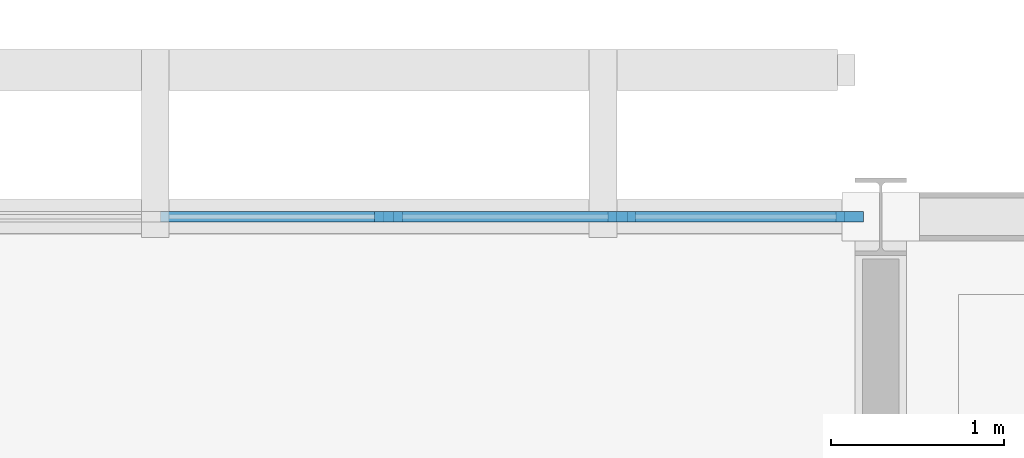
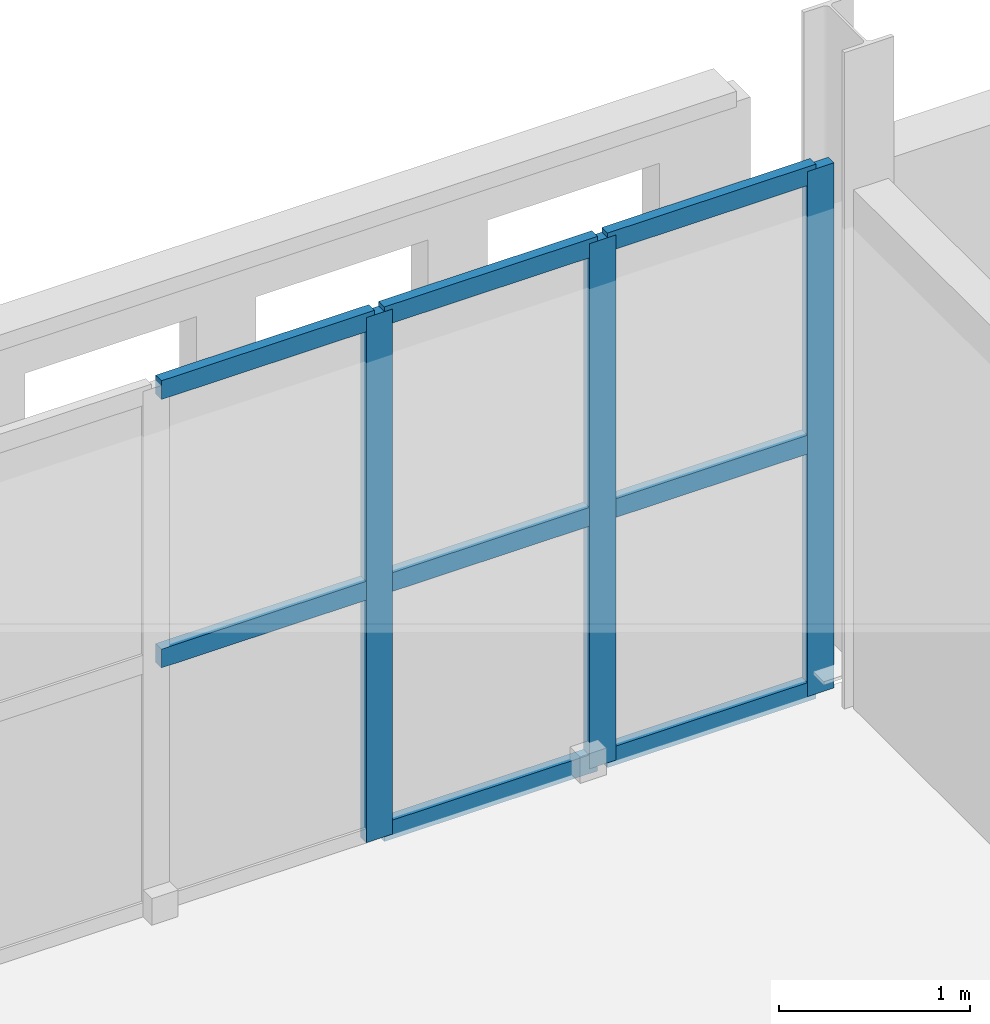
# One storey, part 55 of 166: 11 members, 1 element without a shape of its own.
"""IFC4 building model written with IfcOpenShell, lengths in metres."""

from ifc_helpers import new_model, si_unit, direction, frame, origin, origin_2d, place, context, subcontext, project, spatial, rectangle, extrude, material, layer, layer_set, material_profile, profile_set, type_object, element, aggregate, save


model = new_model("IFC4")

# Units and contexts
model_context = context("Model", 3, precision=1e-05, world=origin(), true_north=direction((0.0, 1.0)))
body_context = subcontext(model_context, "Body", "Model", "MODEL_VIEW")
ifc_project = project(units=[si_unit("LENGTHUNIT", "METRE"), si_unit("AREAUNIT", "SQUARE_METRE"), si_unit("VOLUMEUNIT", "CUBIC_METRE"), si_unit("PLANEANGLEUNIT", "RADIAN"), si_unit("MASSUNIT", "GRAM", prefix="KILO")], contexts=[model_context])

# Site, building, storey
site_placement = place(None, origin())
site = spatial("IfcSite", under=ifc_project, at=site_placement, CompositionType="ELEMENT")
building_placement = place(site_placement, origin())
building = spatial("IfcBuilding", under=site, at=building_placement, Name="Varnapada Polytechnic", CompositionType="ELEMENT")
storey_placement = place(building_placement, frame((0.0, 0.0, 9.60009765625)))
storey = spatial("IfcBuildingStorey", under=building, at=storey_placement, Name="L02", CompositionType="ELEMENT", Elevation=9.60009765625)

# Curtain wall, members
ifc_material_1 = material(Name="Double low-E laminated glass", Category="glass")
ifc_layer = layer(ifc_material_1, 0.159912109375)
ifc_layer_set = layer_set([ifc_layer], Name="Double low-E laminated glass")
curtain_wall_type = type_object("IfcCurtainWallType", Name="Curtain Wall CW-02", PredefinedType="NOTDEFINED", material=ifc_layer_set)
curtain_wall_placement = place(storey_placement, origin())
curtain_wall = element("IfcCurtainWall", 1, at=curtain_wall_placement, inside=storey, type_object=curtain_wall_type, Name="L02 unitised curtain wall CW-02 (178)", PredefinedType="NOTDEFINED")
ifc_material_2 = material(Name="Anodised aluminium", Category="aluminium")
ifc_material_profile_1 = material_profile(ifc_material_2, rectangle(XDim=0.06005859375, YDim=0.159912109375, at=origin_2d()), Name="ALU M60x160")
ifc_profile_set_1 = profile_set([ifc_material_profile_1], Name="Anodised aluminium")
member_type_1 = type_object("IfcMemberType", Name="Mullion M-01", PredefinedType="MULLION", material=ifc_profile_set_1)
member_1_placement = place(storey_placement, frame((123.14990234375, 126.0, 0.0), z_axis=(0.0, 0.0, 1.0), x_axis=(0.0, 1.0, 0.0)))
member_1 = element("IfcMember", 2, at=member_1_placement, type_object=member_type_1, Name="CW-02 mullion 5", PredefinedType="MULLION", context=body_context, shape_type="SweptSolid", body=[
    extrude(rectangle(XDim=0.06005859375, YDim=0.159912109375, at=origin_2d()), origin(), (0.0, 0.0, 1.0), 3.35986328125),
])
member_2_placement = place(storey_placement, frame((124.5, 126.0, 0.0), z_axis=(0.0, 0.0, 1.0), x_axis=(0.0, 1.0, 0.0)))
member_2 = element("IfcMember", 3, at=member_2_placement, type_object=member_type_1, Name="CW-02 mullion 6", PredefinedType="MULLION", context=body_context, shape_type="SweptSolid", body=[
    extrude(rectangle(XDim=0.06005859375, YDim=0.159912109375, at=origin_2d()), origin(), (0.0, 0.0, 1.0), 3.35986328125),
])
member_3_placement = place(storey_placement, frame((125.820068359375, 126.0, 0.0), z_axis=(0.0, 0.0, 1.0), x_axis=(0.0, 1.0, 0.0)))
member_3 = element("IfcMember", 4, at=member_3_placement, type_object=member_type_1, Name="CW-02 mullion 7", PredefinedType="MULLION", context=body_context, shape_type="SweptSolid", body=[
    extrude(rectangle(XDim=0.06005859375, YDim=0.159912109375, at=origin_2d()), origin(), (0.0, 0.0, 1.0), 3.35986328125),
])
ifc_material_profile_2 = material_profile(ifc_material_2, rectangle(XDim=0.06005859375, YDim=0.1201171875, at=origin_2d()), Name="ALU T60x120")
ifc_profile_set_2 = profile_set([ifc_material_profile_2], Name="Anodised aluminium")
member_type_2 = type_object("IfcMemberType", Name="Transom T-01", PredefinedType="USERDEFINED", material=ifc_profile_set_2)
member_4_placement = place(storey_placement, frame((121.830078125, 126.0, 1.61279296875), z_axis=(1.0, 0.0, 0.0), x_axis=(0.0, 1.0, 0.0)))
member_4 = element("IfcMember", 5, at=member_4_placement, type_object=member_type_2, Name="CW-02 transom 4.2", ObjectType="TRANSOM", PredefinedType="USERDEFINED", context=body_context, shape_type="SweptSolid", body=[
    extrude(rectangle(XDim=0.06005859375, YDim=0.1201171875, at=origin_2d()), origin(), (0.0, 0.0, 1.0), 1.2900390625),
])
member_5_placement = place(storey_placement, frame((121.830078125, 126.0, 3.329833984375), z_axis=(1.0, 0.0, 0.0), x_axis=(0.0, 1.0, 0.0)))
member_5 = element("IfcMember", 6, at=member_5_placement, type_object=member_type_2, Name="CW-02 transom 4.3", ObjectType="TRANSOM", PredefinedType="USERDEFINED", context=body_context, shape_type="SweptSolid", body=[
    extrude(rectangle(XDim=0.06005859375, YDim=0.1201171875, at=origin_2d()), origin(), (0.0, 0.0, 1.0), 1.2900390625),
])
member_6_placement = place(storey_placement, frame((123.179931640625, 126.0, 0.02978515625), z_axis=(1.0, 0.0, 0.0), x_axis=(0.0, 1.0, 0.0)))
member_6 = element("IfcMember", 7, at=member_6_placement, type_object=member_type_2, Name="CW-02 transom 5.1", ObjectType="TRANSOM", PredefinedType="USERDEFINED", context=body_context, shape_type="SweptSolid", body=[
    extrude(rectangle(XDim=0.06005859375, YDim=0.1201171875, at=origin_2d()), origin(), (0.0, 0.0, 1.0), 1.2900390625),
])
member_7_placement = place(storey_placement, frame((123.179931640625, 126.0, 1.61279296875), z_axis=(1.0, 0.0, 0.0), x_axis=(0.0, 1.0, 0.0)))
member_7 = element("IfcMember", 8, at=member_7_placement, type_object=member_type_2, Name="CW-02 transom 5.2", ObjectType="TRANSOM", PredefinedType="USERDEFINED", context=body_context, shape_type="SweptSolid", body=[
    extrude(rectangle(XDim=0.06005859375, YDim=0.1201171875, at=origin_2d()), origin(), (0.0, 0.0, 1.0), 1.2900390625),
])
member_8_placement = place(storey_placement, frame((123.179931640625, 126.0, 3.329833984375), z_axis=(1.0, 0.0, 0.0), x_axis=(0.0, 1.0, 0.0)))
member_8 = element("IfcMember", 9, at=member_8_placement, type_object=member_type_2, Name="CW-02 transom 5.3", ObjectType="TRANSOM", PredefinedType="USERDEFINED", context=body_context, shape_type="SweptSolid", body=[
    extrude(rectangle(XDim=0.06005859375, YDim=0.1201171875, at=origin_2d()), origin(), (0.0, 0.0, 1.0), 1.2900390625),
])
member_9_placement = place(storey_placement, frame((124.530029296875, 126.0, 0.02978515625), z_axis=(1.0, 0.0, 0.0), x_axis=(0.0, 1.0, 0.0)))
member_9 = element("IfcMember", 10, at=member_9_placement, type_object=member_type_2, Name="CW-02 transom 6.1", ObjectType="TRANSOM", PredefinedType="USERDEFINED", context=body_context, shape_type="SweptSolid", body=[
    extrude(rectangle(XDim=0.06005859375, YDim=0.1201171875, at=origin_2d()), origin(), (0.0, 0.0, 1.0), 1.260009765625),
])
member_10_placement = place(storey_placement, frame((124.530029296875, 126.0, 1.61279296875), z_axis=(1.0, 0.0, 0.0), x_axis=(0.0, 1.0, 0.0)))
member_10 = element("IfcMember", 11, at=member_10_placement, type_object=member_type_2, Name="CW-02 transom 6.2", ObjectType="TRANSOM", PredefinedType="USERDEFINED", context=body_context, shape_type="SweptSolid", body=[
    extrude(rectangle(XDim=0.06005859375, YDim=0.1201171875, at=origin_2d()), origin(), (0.0, 0.0, 1.0), 1.260009765625),
])
member_11_placement = place(storey_placement, frame((124.530029296875, 126.0, 3.329833984375), z_axis=(1.0, 0.0, 0.0), x_axis=(0.0, 1.0, 0.0)))
member_11 = element("IfcMember", 12, at=member_11_placement, type_object=member_type_2, Name="CW-02 transom 6.3", ObjectType="TRANSOM", PredefinedType="USERDEFINED", context=body_context, shape_type="SweptSolid", body=[
    extrude(rectangle(XDim=0.06005859375, YDim=0.1201171875, at=origin_2d()), origin(), (0.0, 0.0, 1.0), 1.260009765625),
])
aggregate(curtain_wall, [member_1, member_2, member_3, member_4, member_5, member_6, member_7, member_8, member_9, member_10, member_11])

save(model, "model.ifc")
